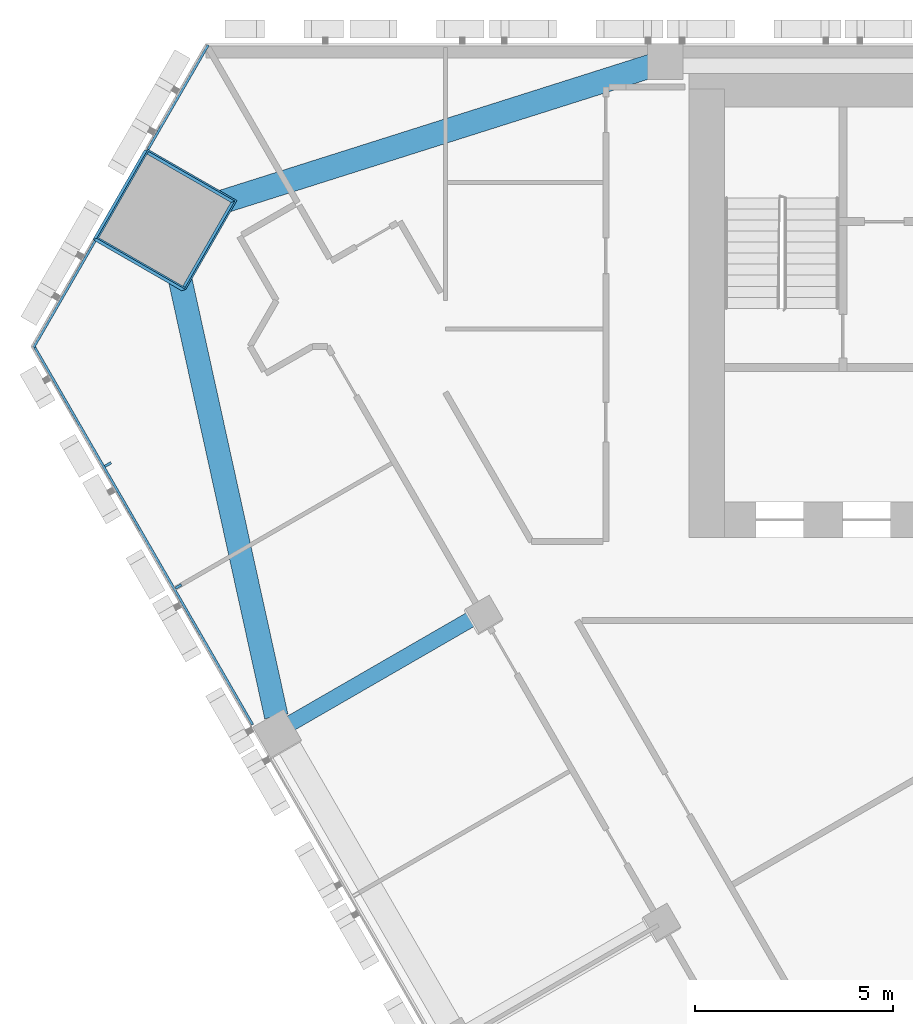
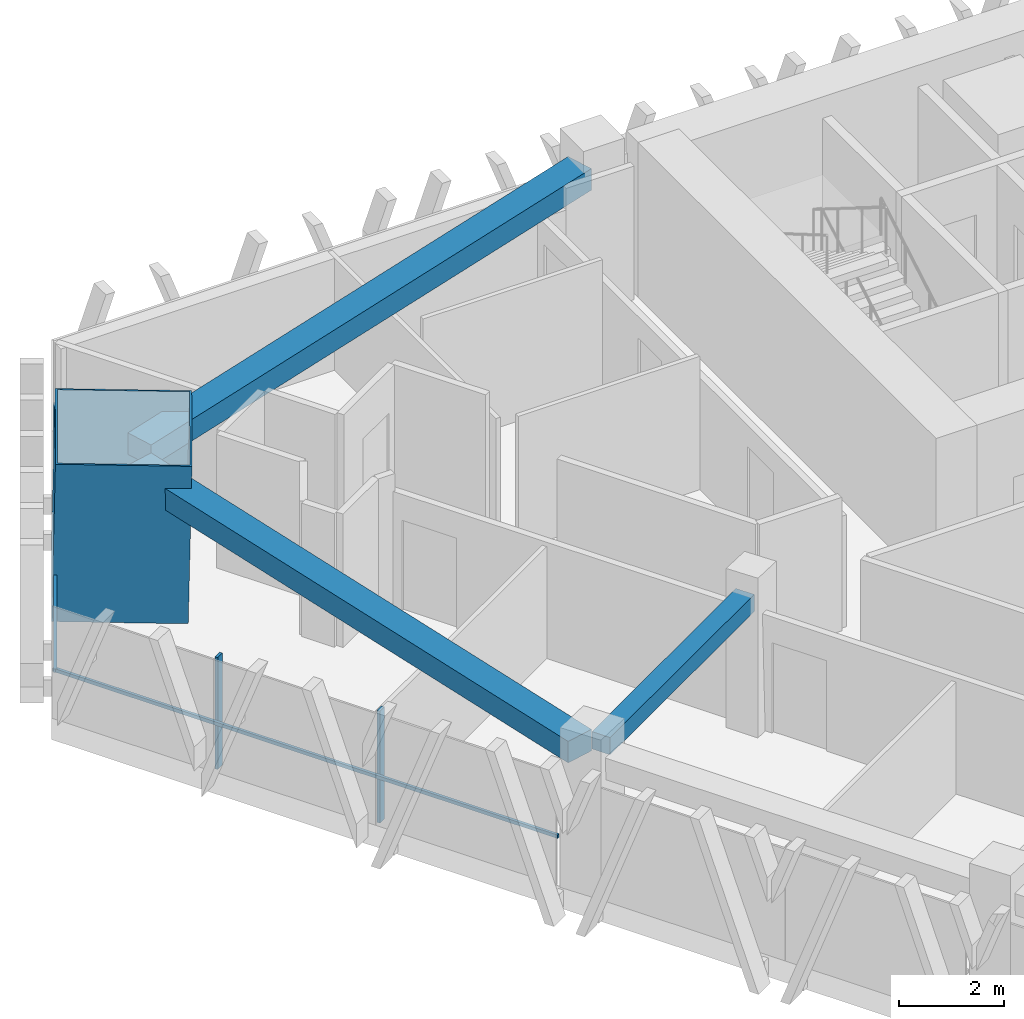
# One storey, part 5 of 16: 6 members, 3 beams, 2 elements without a shape of their own.
"""IFC4 building model written with IfcOpenShell, lengths in metres."""

from ifc_helpers import new_model, si_unit, direction, frame, origin, origin_2d, place, context, subcontext, project, spatial, rectangle, hollow_rectangle, extrude, material, layer, layer_set, material_profile, profile_set, type_object, element, aggregate, save


model = new_model("IFC4")

# Units and contexts
model_context = context("Model", 3, precision=1e-05, world=origin(), true_north=direction((0.0, 1.0)))
body_context = subcontext(model_context, "Body", "Model", "MODEL_VIEW")
ifc_project = project(units=[si_unit("LENGTHUNIT", "METRE"), si_unit("AREAUNIT", "SQUARE_METRE"), si_unit("VOLUMEUNIT", "CUBIC_METRE"), si_unit("PLANEANGLEUNIT", "RADIAN"), si_unit("MASSUNIT", "GRAM", prefix="KILO")], contexts=[model_context])

# Site, building, storey
site_placement = place(None, origin())
site = spatial("IfcSite", under=ifc_project, at=site_placement, CompositionType="ELEMENT")
building_placement = place(site_placement, origin())
building = spatial("IfcBuilding", under=site, at=building_placement, Name="Altiplano Prism Tower", CompositionType="ELEMENT")
storey_placement = place(building_placement, frame((0.0, 0.0, 81.0)))
storey = spatial("IfcBuildingStorey", under=building, at=storey_placement, Name="L20", CompositionType="ELEMENT", Elevation=81.0)

# Curtain wall, members
ifc_material_1 = material(Name="Aluminium and glass", Category="aluminium")
ifc_layer = layer(ifc_material_1, 0.280029296875)
ifc_layer_set = layer_set([ifc_layer], Name="Aluminium and glass")
curtain_wall_type = type_object("IfcCurtainWallType", Name="CW1 typical co-living unitised curtain wall", PredefinedType="NOTDEFINED", material=ifc_layer_set)
curtain_wall_1_placement = place(storey_placement, origin())
curtain_wall_1 = element("IfcCurtainWall", 1, at=curtain_wall_1_placement, inside=storey, type_object=curtain_wall_type, Name="CW1 curtain wall south-west face L20", PredefinedType="NOTDEFINED")
ifc_material_2 = material(Name="Aluminium", Category="aluminium")
ifc_material_profile_1 = material_profile(ifc_material_2, rectangle(XDim=0.179931640625, YDim=0.06494140625, at=origin_2d()), Name="CW1 mullion 65 x 180")
ifc_profile_set_1 = profile_set([ifc_material_profile_1], Name="Aluminium")
member_type_1 = type_object("IfcMemberType", Name="CW1 mullion 65 x 180", PredefinedType="MULLION", material=ifc_profile_set_1)
member_1_placement = place(storey_placement, frame((57.395751953125, 94.34814453125, 0.0), z_axis=(0.0, 0.0, 1.0), x_axis=(0.866025400215, 0.500000006182, 0.0)))
member_1 = element("IfcMember", 2, at=member_1_placement, type_object=member_type_1, Name="CW1 mullion", PredefinedType="MULLION", context=body_context, shape_type="SweptSolid", body=[
    extrude(rectangle(XDim=0.179931640625, YDim=0.06494140625, at=origin_2d()), origin(), (0.0, 0.0, 1.0), 2.60009765625),
])
member_2_placement = place(storey_placement, frame((59.177734375, 91.26171875, 0.0), z_axis=(0.0, 0.0, 1.0), x_axis=(0.866025400215, 0.500000006182, 0.0)))
member_2 = element("IfcMember", 3, at=member_2_placement, type_object=member_type_1, Name="CW1 mullion", PredefinedType="MULLION", context=body_context, shape_type="SweptSolid", body=[
    extrude(rectangle(XDim=0.179931640625, YDim=0.06494140625, at=origin_2d()), origin(), (0.0, 0.0, 1.0), 2.60009765625),
])

curtain_wall_2_placement = place(storey_placement, origin())
curtain_wall_2 = element("IfcCurtainWall", 4, at=curtain_wall_2_placement, inside=storey, type_object=curtain_wall_type, Name="CW1 curtain wall north-west chamfer L20", PredefinedType="NOTDEFINED")
ifc_material_profile_2 = material_profile(ifc_material_2, rectangle(XDim=0.06005859375, YDim=0.080078125, at=origin_2d()), Name="CW1 transom 80 x 60")
ifc_profile_set_2 = profile_set([ifc_material_profile_2], Name="Aluminium")
member_type_2 = type_object("IfcMemberType", Name="CW1 transom 80 x 60", PredefinedType="USERDEFINED", material=ifc_profile_set_2)
member_3_placement = place(storey_placement, frame((59.9326171875, 104.965087890625, 1.10009765625), z_axis=(-0.499944708657, -0.866057323903, 0.0), x_axis=(0.866057323903, -0.499944708657, 0.0)))
member_3 = element("IfcMember", 5, at=member_3_placement, type_object=member_type_2, Name="CW1 transom", ObjectType="TRANSOM", PredefinedType="USERDEFINED", context=body_context, shape_type="SweptSolid", body=[
    extrude(rectangle(XDim=0.06005859375, YDim=0.080078125, at=origin_2d()), origin(), (0.0, 0.0, 1.0), 3.042724609375),
])
member_4_placement = place(storey_placement, frame((57.0712890625, 100.009033203125, 1.10009765625), z_axis=(-0.499981884921, -0.866035862278, 0.0), x_axis=(0.866035862278, -0.499981884921, 0.0)))
member_4 = element("IfcMember", 6, at=member_4_placement, type_object=member_type_2, Name="CW1 transom", ObjectType="TRANSOM", PredefinedType="USERDEFINED", context=body_context, shape_type="SweptSolid", body=[
    extrude(rectangle(XDim=0.06005859375, YDim=0.080078125, at=origin_2d()), origin(), (0.0, 0.0, 1.0), 3.12255859375),
])
aggregate(curtain_wall_2, [member_3, member_4])

# Member
member_5_placement = place(storey_placement, frame((55.510009765625, 97.37451171875, 1.10009765625), z_axis=(0.499997931106, -0.866026598257, 0.0), x_axis=(0.866026598257, 0.499997931106, 0.0)))
member_5 = element("IfcMember", 7, at=member_5_placement, type_object=member_type_2, Name="CW1 transom", ObjectType="TRANSOM", PredefinedType="USERDEFINED", context=body_context, shape_type="SweptSolid", body=[
    extrude(rectangle(XDim=0.06005859375, YDim=0.080078125, at=origin_2d()), origin(), (0.0, 0.0, 1.0), 11.09814453125),
])

aggregate(curtain_wall_1, [member_1, member_2, member_5])

# Beams
ifc_material_3 = material(Name="Concrete C60/75", Category="concrete")
ifc_material_profile_3 = material_profile(ifc_material_3, rectangle(XDim=0.60009765625, YDim=0.5, at=origin_2d()), Name="Edge beam 600x500")
ifc_profile_set_3 = profile_set([ifc_material_profile_3], Name="Concrete C60/75")
beam_type_1 = type_object("IfcBeamType", Name="Edge beam 600x500", PredefinedType="SPANDREL", material=ifc_profile_set_3)
beam_1_placement = place(storey_placement, frame((71.164306640625, 104.443603515625, 2.85009765625), z_axis=(-0.95327218217, -0.302112804596, 0.0), x_axis=(0.302112804596, -0.95327218217, 0.0)))
element("IfcBeam", 8, at=beam_1_placement, inside=storey, type_object=beam_type_1, Name="Edge beam P04-M0 L21", PredefinedType="SPANDREL", context=body_context, shape_type="SweptSolid", body=[
    extrude(rectangle(XDim=0.60009765625, YDim=0.5, at=origin_2d()), origin(), (0.0, 0.0, 1.0), 12.42724609375),
])
beam_2_placement = place(storey_placement, frame((58.985595703125, 100.11376953125, 2.85009765625), z_axis=(0.214976833833, -0.976619148346, 0.0), x_axis=(0.976619148346, 0.214976833833, 0.0)))
element("IfcBeam", 9, at=beam_2_placement, inside=storey, type_object=beam_type_1, Name="Edge beam M0-P11 L21", PredefinedType="SPANDREL", context=body_context, shape_type="SweptSolid", body=[
    extrude(rectangle(XDim=0.60009765625, YDim=0.5, at=origin_2d()), origin(), (0.0, 0.0, 1.0), 12.427490234375),
])

# Member
ifc_material_4 = material(Name="Steel S460", Category="steel")
ifc_material_profile_4 = material_profile(ifc_material_4, hollow_rectangle(XDim=2.60009765625, YDim=2.60009765625, WallThickness=0.0400390625, at=origin_2d()), Name="Mega column tube 2600")
ifc_profile_set_4 = profile_set([ifc_material_profile_4], Name="Steel S460")
member_type_3 = type_object("IfcMemberType", Name="Mega column tube 2600", PredefinedType="POST", material=ifc_profile_set_4)
member_6_placement = place(storey_placement, frame((58.78662109375, 100.519775390625, 0.0), z_axis=(0.028334066552, 0.009286524205, 0.999555371723), x_axis=(-0.866555711956, 0.498682221377, 0.019930884529)))
element("IfcMember", 10, at=member_6_placement, inside=storey, type_object=member_type_3, Name="Mega column tube M0 L20", PredefinedType="POST", context=body_context, shape_type="SweptSolid", body=[
    extrude(hollow_rectangle(XDim=2.60009765625, YDim=2.60009765625, WallThickness=0.0400390625, at=origin_2d()), origin(), (0.0, 0.0, 1.0), 3.601806640625),
])

# Beam
ifc_material_profile_5 = material_profile(ifc_material_3, rectangle(XDim=0.39990234375, YDim=0.39990234375, at=origin_2d()), Name="Tie beam 400x400")
ifc_profile_set_5 = profile_set([ifc_material_profile_5], Name="Concrete C60/75")
beam_type_2 = type_object("IfcBeamType", Name="Tie beam 400x400", PredefinedType="BEAM", material=ifc_profile_set_5)
beam_3_placement = place(storey_placement, frame((66.773193359375, 90.54296875, 2.89990234375), z_axis=(-0.866031549307, -0.499989355492, 0.0), x_axis=(0.499989355492, -0.866031549307, 0.0)))
element("IfcBeam", 11, at=beam_3_placement, inside=storey, type_object=beam_type_2, Name="Tie beam I11 L21", PredefinedType="BEAM", context=body_context, shape_type="SweptSolid", body=[
    extrude(rectangle(XDim=0.39990234375, YDim=0.39990234375, at=origin_2d()), origin(), (0.0, 0.0, 1.0), 5.48974609375),
])

save(model, "model.ifc")
